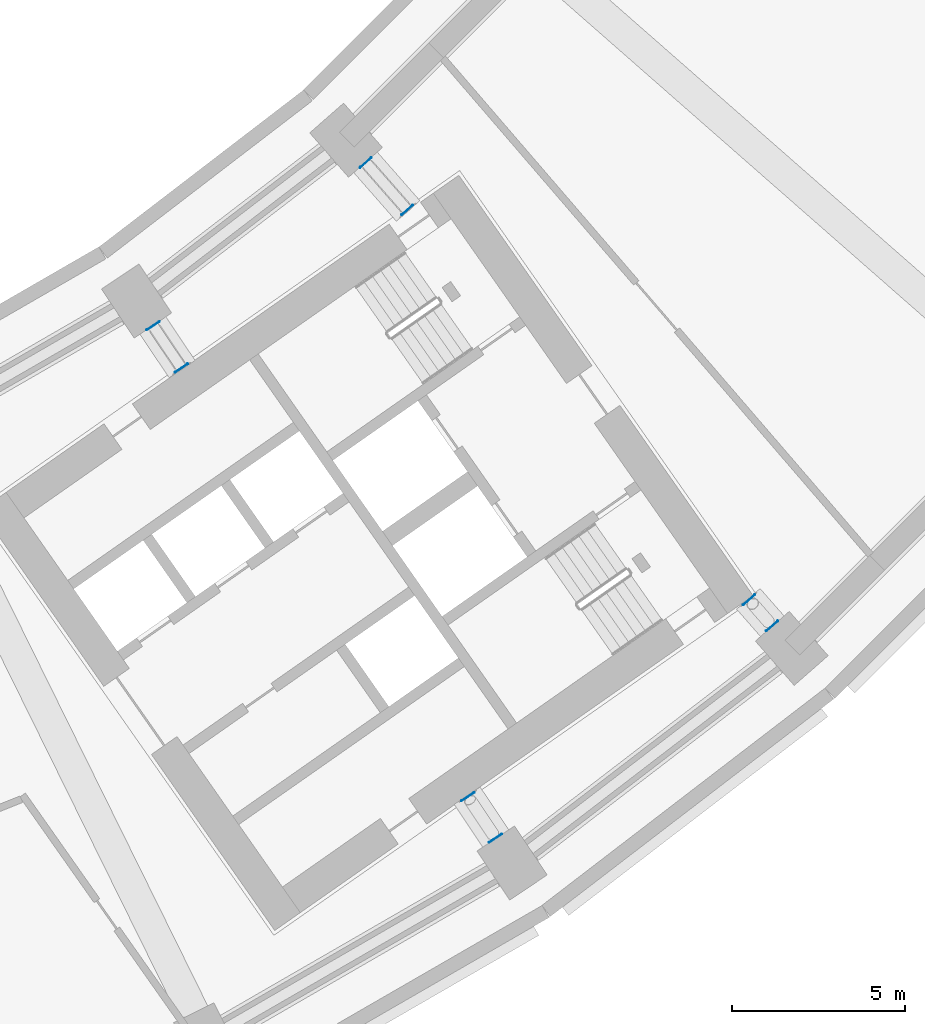
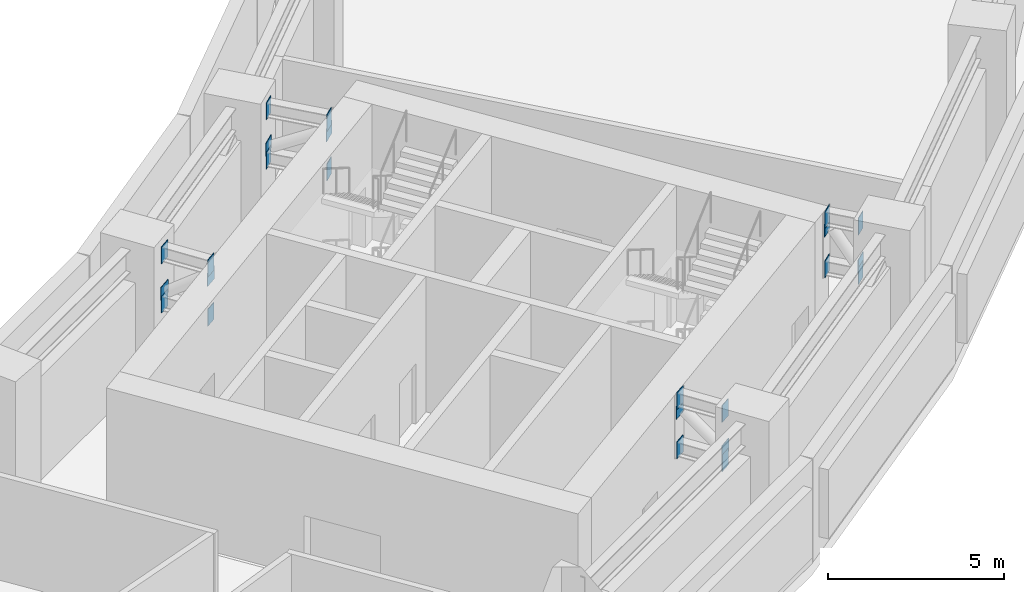
# One storey, part 12 of 25: 24 discrete accessories.
"""IFC4 building model written with IfcOpenShell, lengths in metres."""

from ifc_helpers import new_model, si_unit, direction, frame, origin, origin_2d, place, context, subcontext, project, spatial, rectangle, extrude, material, layer, layer_set, type_object, element, save


model = new_model("IFC4")

# Units and contexts
model_context = context("Model", 3, precision=1e-05, world=origin(), true_north=direction((0.0, 1.0)))
body_context = subcontext(model_context, "Body", "Model", "MODEL_VIEW")
ifc_project = project(units=[si_unit("LENGTHUNIT", "METRE"), si_unit("AREAUNIT", "SQUARE_METRE"), si_unit("VOLUMEUNIT", "CUBIC_METRE"), si_unit("PLANEANGLEUNIT", "RADIAN"), si_unit("MASSUNIT", "GRAM", prefix="KILO")], contexts=[model_context])

# Site, building, storey
site_placement = place(None, origin())
site = spatial("IfcSite", under=ifc_project, at=site_placement, CompositionType="ELEMENT")
building_placement = place(site_placement, origin())
building = spatial("IfcBuilding", under=site, at=building_placement, Name="Qamariyya Broadcast Tower", CompositionType="ELEMENT")
storey_placement = place(building_placement, frame((0.0, 0.0, 89.89990234375)))
storey = spatial("IfcBuildingStorey", under=building, at=storey_placement, Name="L19", CompositionType="ELEMENT", Elevation=89.89990234375)

# Discrete accessories
ifc_material = material(Name="Steel S355", Category="steel")
ifc_layer = layer(ifc_material, 0.02001953125)
ifc_layer_set = layer_set([ifc_layer], Name="End plate 20 Steel S355")
discrete_accessory_type = type_object("IfcDiscreteAccessoryType", Name="End plate 20 Steel S355", PredefinedType="BRACKET", material=ifc_layer_set)
for number, where, z_axis, x_axis, name in (
    (1, (32.83984375, -49.148193359375, 4.16015625), (0.0, 0.0, 1.0), (-0.831469612303, -0.55557023302, 0.0), "End plate EP1 L19 R15 tc"),
    (2, (33.656005859375, -50.369873046875, 4.16015625), (0.0, 0.0, 1.0), (-0.831469612303, -0.55557023302, 0.0), "End plate EP1 L19 R15 tc"),
    (3, (32.83984375, -49.148193359375, 2.4501953125), (0.0, 0.0, 1.0), (-0.831469612303, -0.55557023302, 0.0), "End plate EP1 L19 R15 bc"),
    (4, (33.656005859375, -50.369873046875, 2.4501953125), (0.0, 0.0, 1.0), (-0.831469612303, -0.55557023302, 0.0), "End plate EP1 L19 R15 bc"),
):
    element("IfcDiscreteAccessory", number, at=place(storey_placement, frame(where, z_axis=z_axis, x_axis=x_axis)), inside=storey, type_object=discrete_accessory_type, Name=name, PredefinedType="BRACKET", context=body_context, shape_type="SweptSolid", body=[
        extrude(rectangle(XDim=0.39990234375, YDim=0.02001953125, at=origin_2d()), origin(), (0.0, 0.0, 1.0), 0.590087890625),
    ])
for number, where, z_axis, x_axis, name in (
    (5, (32.83984375, -49.148193359375, 2.90380859375), (0.0, 0.0, 1.0), (-0.831469612303, -0.55557023302, 0.0), "End plate EP1 L19 R15 dg"),
    (6, (33.656005859375, -50.369873046875, 3.8408203125), (0.0, 0.0, 1.0), (-0.831469612303, -0.55557023302, 0.0), "End plate EP1 L19 R15 dg"),
):
    element("IfcDiscreteAccessory", number, at=place(storey_placement, frame(where, z_axis=z_axis, x_axis=x_axis)), inside=storey, type_object=discrete_accessory_type, Name=name, PredefinedType="BRACKET", context=body_context, shape_type="SweptSolid", body=[
        extrude(rectangle(XDim=0.45556640625, YDim=0.02001953125, at=origin_2d()), origin(), (0.0, 0.0, 1.0), 0.45556640625),
    ])
for number, where, z_axis, x_axis, name in (
    (7, (41.91943359375, -62.73681640625, 4.16015625), (0.0, 0.0, 1.0), (-0.831469612303, -0.55557023302, 0.0), "End plate EP1 L19 R15 tc"),
    (8, (42.7177734375, -63.931640625, 4.16015625), (0.0, 0.0, 1.0), (-0.831469612303, -0.55557023302, 0.0), "End plate EP1 L19 R15 tc"),
    (9, (41.91943359375, -62.73681640625, 2.4501953125), (0.0, 0.0, 1.0), (-0.831469612303, -0.55557023302, 0.0), "End plate EP1 L19 R15 bc"),
    (10, (42.7177734375, -63.931640625, 2.4501953125), (0.0, 0.0, 1.0), (-0.831469612303, -0.55557023302, 0.0), "End plate EP1 L19 R15 bc"),
):
    element("IfcDiscreteAccessory", number, at=place(storey_placement, frame(where, z_axis=z_axis, x_axis=x_axis)), inside=storey, type_object=discrete_accessory_type, Name=name, PredefinedType="BRACKET", context=body_context, shape_type="SweptSolid", body=[
        extrude(rectangle(XDim=0.39990234375, YDim=0.02001953125, at=origin_2d()), origin(), (0.0, 0.0, 1.0), 0.590087890625),
    ])
for number, where, z_axis, x_axis, name in (
    (11, (41.91943359375, -62.73681640625, 3.8427734375), (0.0, 0.0, 1.0), (-0.831469612303, -0.55557023302, 0.0), "End plate EP1 L19 R15 dg"),
    (12, (42.7177734375, -63.931640625, 2.90185546875), (0.0, 0.0, 1.0), (-0.831469612303, -0.55557023302, 0.0), "End plate EP1 L19 R15 dg"),
):
    element("IfcDiscreteAccessory", number, at=place(storey_placement, frame(where, z_axis=z_axis, x_axis=x_axis)), inside=storey, type_object=discrete_accessory_type, Name=name, PredefinedType="BRACKET", context=body_context, shape_type="SweptSolid", body=[
        extrude(rectangle(XDim=0.45556640625, YDim=0.02001953125, at=origin_2d()), origin(), (0.0, 0.0, 1.0), 0.45556640625),
    ])
for number, where, z_axis, x_axis, name in (
    (13, (38.973876953125, -44.441162109375, 4.16015625), (0.0, 0.0, 1.0), (-0.751839807479, -0.6593458151, 0.0), "End plate EP1 L19 R16 tc"),
    (14, (40.172119140625, -45.8076171875, 4.16015625), (0.0, 0.0, 1.0), (-0.751839807479, -0.6593458151, 0.0), "End plate EP1 L19 R16 tc"),
    (15, (38.973876953125, -44.441162109375, 2.4501953125), (0.0, 0.0, 1.0), (-0.751839807479, -0.6593458151, 0.0), "End plate EP1 L19 R16 bc"),
    (16, (40.172119140625, -45.8076171875, 2.4501953125), (0.0, 0.0, 1.0), (-0.751839807479, -0.6593458151, 0.0), "End plate EP1 L19 R16 bc"),
):
    element("IfcDiscreteAccessory", number, at=place(storey_placement, frame(where, z_axis=z_axis, x_axis=x_axis)), inside=storey, type_object=discrete_accessory_type, Name=name, PredefinedType="BRACKET", context=body_context, shape_type="SweptSolid", body=[
        extrude(rectangle(XDim=0.39990234375, YDim=0.02001953125, at=origin_2d()), origin(), (0.0, 0.0, 1.0), 0.590087890625),
    ])
for number, where, z_axis, x_axis, name in (
    (17, (38.973876953125, -44.441162109375, 2.917236328125), (0.0, 0.0, 1.0), (-0.751839807479, -0.6593458151, 0.0), "End plate EP1 L19 R16 dg"),
    (18, (40.172119140625, -45.8076171875, 3.827392578125), (0.0, 0.0, 1.0), (-0.751839807479, -0.6593458151, 0.0), "End plate EP1 L19 R16 dg"),
):
    element("IfcDiscreteAccessory", number, at=place(storey_placement, frame(where, z_axis=z_axis, x_axis=x_axis)), inside=storey, type_object=discrete_accessory_type, Name=name, PredefinedType="BRACKET", context=body_context, shape_type="SweptSolid", body=[
        extrude(rectangle(XDim=0.45556640625, YDim=0.02001953125, at=origin_2d()), origin(), (0.0, 0.0, 1.0), 0.45556640625),
    ])
for number, where, z_axis, x_axis, name in (
    (19, (50.034912109375, -57.053955078125, 4.16015625), (0.0, 0.0, 1.0), (-0.751839807479, -0.6593458151, 0.0), "End plate EP1 L19 R16 tc"),
    (20, (50.697021484375, -57.80908203125, 4.16015625), (0.0, 0.0, 1.0), (-0.751839807479, -0.6593458151, 0.0), "End plate EP1 L19 R16 tc"),
    (21, (50.034912109375, -57.053955078125, 2.4501953125), (0.0, 0.0, 1.0), (-0.751839807479, -0.6593458151, 0.0), "End plate EP1 L19 R16 bc"),
    (22, (50.697021484375, -57.80908203125, 2.4501953125), (0.0, 0.0, 1.0), (-0.751839807479, -0.6593458151, 0.0), "End plate EP1 L19 R16 bc"),
):
    element("IfcDiscreteAccessory", number, at=place(storey_placement, frame(where, z_axis=z_axis, x_axis=x_axis)), inside=storey, type_object=discrete_accessory_type, Name=name, PredefinedType="BRACKET", context=body_context, shape_type="SweptSolid", body=[
        extrude(rectangle(XDim=0.39990234375, YDim=0.02001953125, at=origin_2d()), origin(), (0.0, 0.0, 1.0), 0.590087890625),
    ])
for number, where, z_axis, x_axis, name in (
    (23, (50.034912109375, -57.053955078125, 3.88330078125), (0.0, 0.0, 1.0), (-0.751839807479, -0.6593458151, 0.0), "End plate EP1 L19 R16 dg"),
    (24, (50.697021484375, -57.80908203125, 2.861328125), (0.0, 0.0, 1.0), (-0.751839807479, -0.6593458151, 0.0), "End plate EP1 L19 R16 dg"),
):
    element("IfcDiscreteAccessory", number, at=place(storey_placement, frame(where, z_axis=z_axis, x_axis=x_axis)), inside=storey, type_object=discrete_accessory_type, Name=name, PredefinedType="BRACKET", context=body_context, shape_type="SweptSolid", body=[
        extrude(rectangle(XDim=0.45556640625, YDim=0.02001953125, at=origin_2d()), origin(), (0.0, 0.0, 1.0), 0.45556640625),
    ])

save(model, "model.ifc")
